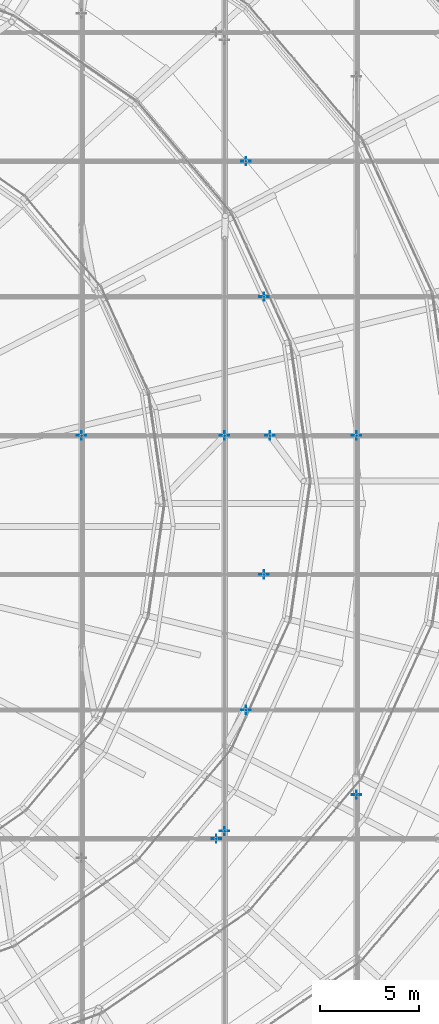
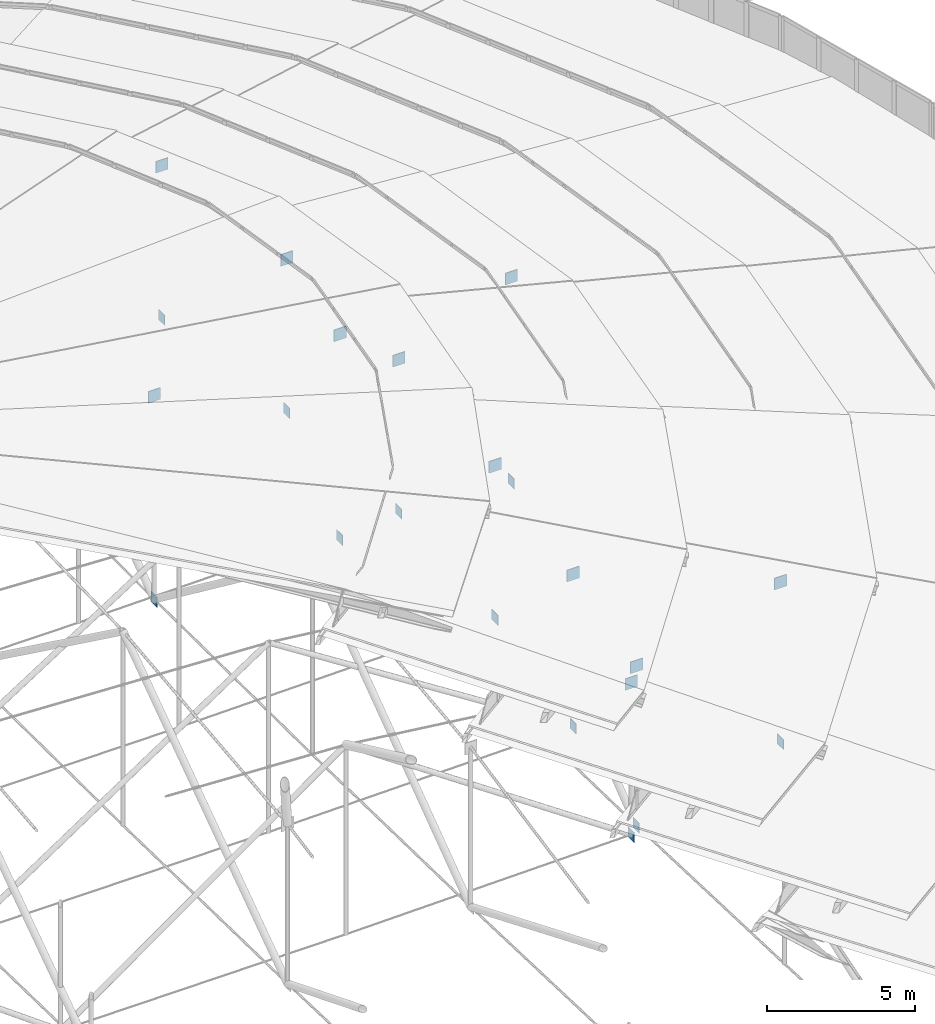
# One storey, part 165 of 173: 22 plates.
"""IFC4 building model written with IfcOpenShell, lengths in metres."""

import ifcopenshell
import ifcopenshell.guid

model = None  # the IFC model being written
_history = None  # IfcOwnerHistory: only IFC2X3 demands one
_inside = {}  # id of a spatial element -> (the spatial element, [elements in it])
_under = {}  # id of a project, library or spatial element -> (it, [spatial elements below it])
_declared = {}  # id of a project -> (the project, [libraries it declares])
_typed = {}  # id of a type object -> (the type object, [elements of that type])
_made_of = {}  # id of a material, layer set ... -> (it, [elements and type objects made of it])


def new_model(schema):
    """Start an empty IFC model of exactly this schema.

    Asked for "IFC4X3", IfcOpenShell would pick the latest addendum, in which some entities
    have other attributes; the version numbers below select the first issue.
    IFC2X3 requires an IfcOwnerHistory on every rooted entity: one is made here for all.
    """
    global model, _history
    if schema == "IFC4X3":
        model = ifcopenshell.file(schema_version=(4, 3, 0, 0))
    else:
        model = ifcopenshell.file(schema=schema)
    _inside.clear()
    _under.clear()
    _declared.clear()
    _typed.clear()
    _made_of.clear()
    _history = None
    if model.schema == "IFC2X3":
        org = make("IfcOrganization", Name="unknown")
        user = make(
            "IfcPersonAndOrganization",
            ThePerson=make("IfcPerson", FamilyName="unknown"),
            TheOrganization=org,
        )
        app = make(
            "IfcApplication",
            ApplicationDeveloper=org,
            Version="unknown",
            ApplicationFullName="unknown",
            ApplicationIdentifier="unknown",
        )
        _history = make(
            "IfcOwnerHistory",
            OwningUser=user,
            OwningApplication=app,
            ChangeAction="ADDED",
            CreationDate=0,
        )
    return model


def make(cls, **values):
    """One entity of the class cls with the attributes given. An attribute that is None is left unset."""
    return model.create_entity(
        cls, **{name: value for name, value in values.items() if value is not None}
    )


def rooted(cls, **values):
    """An entity with a GlobalId (a new one), such as an element, a storey or a relation."""
    return make(cls, GlobalId=ifcopenshell.guid.new(), OwnerHistory=_history, **values)


def si_unit(unit_type, name, prefix=None):
    """IfcSIUnit, for example si_unit("LENGTHUNIT", "METRE", prefix="MILLI")."""
    return make("IfcSIUnit", UnitType=unit_type, Prefix=prefix, Name=name)


def assignment(units):
    """IfcUnitAssignment: the units of a project."""
    return None if units is None else make("IfcUnitAssignment", Units=units)


def point(xyz):
    """IfcCartesianPoint."""
    return None if xyz is None else make("IfcCartesianPoint", Coordinates=xyz)


def direction(xyz):
    """IfcDirection."""
    return None if xyz is None else make("IfcDirection", DirectionRatios=xyz)


def frame(location, z_axis=None, x_axis=None):
    """IfcAxis2Placement3D, a coordinate frame: its origin and axes. An axis left out is left unset."""
    return make(
        "IfcAxis2Placement3D",
        Location=point(location),
        Axis=direction(z_axis),
        RefDirection=direction(x_axis),
    )


def frame_2d(location, x_axis=None):
    """IfcAxis2Placement2D, a coordinate frame in the plane: its origin and x axis."""
    return make(
        "IfcAxis2Placement2D", Location=point(location), RefDirection=direction(x_axis)
    )


def origin():
    """The frame at (0, 0, 0) with its axes left unset."""
    return frame((0.0, 0.0, 0.0))


def origin_2d():
    """The frame at (0, 0) in the plane with its x axis left unset."""
    return frame_2d((0.0, 0.0))


def place(relative_to, where):
    """IfcLocalPlacement: puts the frame where relative to a parent placement (None: the world)."""
    return make(
        "IfcLocalPlacement", PlacementRelTo=relative_to, RelativePlacement=where
    )


def context(
    kind, dimensions, precision=None, world=None, true_north=None, identifier=None
):
    """IfcGeometricRepresentationContext, for example the 3D "Model" context."""
    return make(
        "IfcGeometricRepresentationContext",
        ContextIdentifier=identifier,
        ContextType=kind,
        CoordinateSpaceDimension=dimensions,
        Precision=precision,
        WorldCoordinateSystem=world,
        TrueNorth=true_north,
    )


def subcontext(parent, identifier, kind, view, scale=None):
    """IfcGeometricRepresentationSubContext, for example "Body" below "Model"."""
    return make(
        "IfcGeometricRepresentationSubContext",
        ContextIdentifier=identifier,
        ContextType=kind,
        ParentContext=parent,
        TargetScale=scale,
        TargetView=view,
    )


def project(units=None, contexts=None):
    """IfcProject with its units and contexts."""
    return rooted(
        "IfcProject",
        Name="project",
        RepresentationContexts=contexts,
        UnitsInContext=assignment(units),
    )


def spatial(cls, under=None, at=None, **own):
    """A site, building, storey or space (cls), placed at a placement, below another one or the project."""
    s = rooted(cls, ObjectPlacement=at, **own)
    if under is not None:
        _under.setdefault(under.id(), (under, []))[1].append(s)
    return s


def profile(cls, at=None, kind="AREA", **sizes):
    """A parametric profile (cls). Its sizes go by their IFC names, for example OverallWidth=200.0."""
    return make(cls, ProfileType=kind, Position=at, **sizes)


def rectangle(**sizes):
    """IfcRectangleProfileDef."""
    return profile("IfcRectangleProfileDef", **sizes)


def extrude(swept, where, along, depth):
    """IfcExtrudedAreaSolid: the profile swept, set in the frame where, extruded along a direction by depth."""
    return make(
        "IfcExtrudedAreaSolid",
        SweptArea=swept,
        Position=where,
        ExtrudedDirection=direction(along),
        Depth=depth,
    )


def shape(context_of_items, identifier, shape_type, items):
    """IfcShapeRepresentation: the items that make up one representation, for example the "Body"."""
    return make(
        "IfcShapeRepresentation",
        ContextOfItems=context_of_items,
        RepresentationIdentifier=identifier,
        RepresentationType=shape_type,
        Items=items,
    )


def material(Name=None, Category=None):
    """IfcMaterial."""
    return make("IfcMaterial", Name=Name, Category=Category)


def layer(
    of_material, thickness, ventilated=None, Name=None, Category=None, Priority=None
):
    """IfcMaterialLayer: one layer of a wall or slab, of a material (None: an air gap)."""
    return make(
        "IfcMaterialLayer",
        Material=of_material,
        LayerThickness=thickness,
        IsVentilated=ventilated,
        Name=Name,
        Category=Category,
        Priority=Priority,
    )


def layer_set(layers, Name=None):
    """IfcMaterialLayerSet."""
    return make("IfcMaterialLayerSet", MaterialLayers=layers, LayerSetName=Name)


def made_of(thing, what):
    """Note that an element or type object is made of a material, layer set ...; save() writes the relation."""
    if what is not None:
        _made_of.setdefault(what.id(), (what, []))[1].append(thing)
    return thing


def type_object(cls, material=None, **own):
    """A type object (cls), such as IfcWallType, which elements share."""
    return made_of(rooted(cls, **own), material)


def element(
    cls,
    number,
    at=None,
    inside=None,
    cuts=None,
    type_object=None,
    material=None,
    context=None,
    identifier="Body",
    shape_type=None,
    held_by="IfcProductDefinitionShape",
    body=None,
    shapes=None,
    **own,
):
    """One element of the class cls, such as IfcWall. Its Tag is "e" and its number.

    at: its placement. inside: the storey or other place that contains it. cuts: it is an
    opening in that element (IfcRelVoidsElement). A single representation is given by context,
    identifier, shape_type and body (its items); several are given by shapes. held_by: the class
    of the entity that holds the representations. save() writes the other relations.
    """
    e = rooted(cls, Tag="e%d" % number, ObjectPlacement=at, **own)
    if body is not None:
        shapes = [shape(context, identifier, shape_type, body)]
    if shapes is not None:
        e.Representation = make(held_by, Representations=shapes)
    if inside is not None:
        _inside.setdefault(inside.id(), (inside, []))[1].append(e)
    if cuts is not None:
        rooted(
            "IfcRelVoidsElement", RelatingBuildingElement=cuts, RelatedOpeningElement=e
        )
    if type_object is not None:
        _typed.setdefault(type_object.id(), (type_object, []))[1].append(e)
    return made_of(e, material)


def aggregate(whole, parts):
    """IfcRelAggregates: a whole, such as a stair, and the parts it consists of."""
    return rooted("IfcRelAggregates", RelatingObject=whole, RelatedObjects=parts)


def save(model, path):
    """Write the relations noted so far, then the file.

    IfcRelAggregates (storeys below a building ...), IfcRelContainedInSpatialStructure (elements
    in a storey), IfcRelDefinesByType, IfcRelAssociatesMaterial and IfcRelDeclares: one each for
    every whole, place, type object, material and project.
    """
    for whole, parts in _under.values():
        aggregate(whole, parts)
    for where, things in _inside.values():
        rooted(
            "IfcRelContainedInSpatialStructure",
            RelatedElements=things,
            RelatingStructure=where,
        )
    for kind, things in _typed.values():
        rooted("IfcRelDefinesByType", RelatedObjects=things, RelatingType=kind)
    for what, things in _made_of.values():
        rooted("IfcRelAssociatesMaterial", RelatedObjects=things, RelatingMaterial=what)
    for by, libraries in _declared.values():
        rooted("IfcRelDeclares", RelatingContext=by, RelatedDefinitions=libraries)
    model.write(path)


model = new_model("IFC4")

# Units and contexts
model_context = context("Model", 3, precision=1e-05, world=origin(), true_north=direction((0.0, 1.0)))
body_context = subcontext(model_context, "Body", "Model", "MODEL_VIEW")
ifc_project = project(units=[si_unit("LENGTHUNIT", "METRE"), si_unit("AREAUNIT", "SQUARE_METRE"), si_unit("VOLUMEUNIT", "CUBIC_METRE"), si_unit("PLANEANGLEUNIT", "RADIAN"), si_unit("MASSUNIT", "GRAM", prefix="KILO")], contexts=[model_context])

# Site, building, storey
site_placement = place(None, origin())
site = spatial("IfcSite", under=ifc_project, at=site_placement, CompositionType="ELEMENT")
building_placement = place(site_placement, origin())
building = spatial("IfcBuilding", under=site, at=building_placement, Name="Glasvene Arena", CompositionType="ELEMENT")
storey_placement = place(building_placement, frame((0.0, 0.0, 28.800048828125)))
storey = spatial("IfcBuildingStorey", under=building, at=storey_placement, Name="RF", CompositionType="ELEMENT", Elevation=28.800048828125)

# Plates
ifc_material = material(Name="Steel S355J2", Category="steel")
ifc_layer_1 = layer(ifc_material, 0.031982421875)
ifc_layer_set_1 = layer_set([ifc_layer_1], Name="Steel S355J2")
plate_type_1 = type_object("IfcPlateType", Name="PL-GUSSET-32", PredefinedType="USERDEFINED", material=ifc_layer_set_1)
for number, where, z_axis, x_axis, name in (
    (1, (121.389404296875, 54.797119140625, 4.23291015625), (0.0, 0.0, 1.0), (1.0, 0.0, 0.0), "Cable-node clamp gusset plate CG-NS01-02"),
    (2, (121.389404296875, 73.0, 5.780029296875), (0.0, 0.0, 1.0), (1.0, 0.0, 0.0), "Cable-node clamp gusset plate CG-NS01-04"),
    (3, (114.699462890625, 52.952392578125, 4.23291015625), (0.0, 0.0, 1.0), (1.0, 0.0, 0.0), "Cable-node clamp gusset plate CG-NS02-02"),
    (4, (114.699462890625, 73.0, 5.780029296875), (0.0, 0.0, 1.0), (1.0, 0.0, 0.0), "Cable-node clamp gusset plate CG-NS02-04"),
    (5, (107.45068359375, 73.0, 5.780029296875), (0.0, 0.0, 1.0), (1.0, 0.0, 0.0), "Cable-node clamp gusset plate CG-NS03-04"),
    (6, (114.275146484375, 52.5703125, 3.927001953125), (0.0, 0.0, 1.0), (1.0, 0.0, 0.0), "Cable-node clamp gusset plate CG-EW01-06"),
    (7, (115.7763671875, 59.09423828125, 3.927001953125), (0.0, 0.0, 1.0), (1.0, 0.0, 0.0), "Cable-node clamp gusset plate CG-EW02-06"),
    (8, (116.692138671875, 65.96044921875, 3.927001953125), (0.0, 0.0, 1.0), (1.0, 0.0, 0.0), "Cable-node clamp gusset plate CG-EW03-06"),
    (9, (117.0, 73.0, 3.927001953125), (0.0, 0.0, 1.0), (1.0, 0.0, 0.0), "Cable-node clamp gusset plate CG-EW04-06"),
    (10, (116.692138671875, 80.03955078125, 3.927001953125), (0.0, 0.0, 1.0), (1.0, 0.0, 0.0), "Cable-node clamp gusset plate CG-EW05-06"),
    (11, (115.7763671875, 86.90576171875, 3.927001953125), (0.0, 0.0, 1.0), (1.0, 0.0, 0.0), "Cable-node clamp gusset plate CG-EW06-06"),
):
    element("IfcPlate", number, at=place(storey_placement, frame(where, z_axis=z_axis, x_axis=x_axis)), inside=storey, type_object=plate_type_1, Name=name, ObjectType="GUSSET PLATE", PredefinedType="USERDEFINED", context=body_context, shape_type="SweptSolid", body=[
        extrude(rectangle(XDim=0.47998046875, YDim=0.031982421875, at=origin_2d()), origin(), (0.0, 0.0, 1.0), 0.47998046875),
    ])
ifc_layer_2 = layer(ifc_material, 0.02001953125)
ifc_layer_set_2 = layer_set([ifc_layer_2], Name="Steel S355J2")
plate_type_2 = type_object("IfcPlateType", Name="PL-STIFF-20", PredefinedType="USERDEFINED", material=ifc_layer_set_2)
for number, where, z_axis, x_axis, name in (
    (12, (121.389404296875, 54.797119140625, -2.322509765625), (0.0, 0.0, 1.0), (1.0, 0.0, 0.0), "Lower cable clamp stiffener plate CS-NS01-02"),
    (13, (121.389404296875, 73.0, -2.610107421875), (0.0, 0.0, 1.0), (1.0, 0.0, 0.0), "Lower cable clamp stiffener plate CS-NS01-04"),
    (14, (114.699462890625, 52.952392578125, -2.322509765625), (0.0, 0.0, 1.0), (1.0, 0.0, 0.0), "Lower cable clamp stiffener plate CS-NS02-02"),
    (15, (114.699462890625, 73.0, -2.610107421875), (0.0, 0.0, 1.0), (1.0, 0.0, 0.0), "Lower cable clamp stiffener plate CS-NS02-04"),
    (16, (107.45068359375, 73.0, -2.610107421875), (0.0, 0.0, 1.0), (1.0, 0.0, 0.0), "Lower cable clamp stiffener plate CS-NS03-04"),
    (17, (114.275146484375, 52.5703125, -2.322509765625), (0.0, 0.0, 1.0), (1.0, 0.0, 0.0), "Lower cable clamp stiffener plate CS-EW01-06"),
    (18, (115.7763671875, 59.09423828125, -2.322509765625), (0.0, 0.0, 1.0), (1.0, 0.0, 0.0), "Lower cable clamp stiffener plate CS-EW02-06"),
    (19, (116.692138671875, 65.96044921875, -2.322509765625), (0.0, 0.0, 1.0), (1.0, 0.0, 0.0), "Lower cable clamp stiffener plate CS-EW03-06"),
    (20, (117.0, 73.0, -2.322509765625), (0.0, 0.0, 1.0), (1.0, 0.0, 0.0), "Lower cable clamp stiffener plate CS-EW04-06"),
    (21, (116.692138671875, 80.03955078125, -2.322509765625), (0.0, 0.0, 1.0), (1.0, 0.0, 0.0), "Lower cable clamp stiffener plate CS-EW05-06"),
    (22, (115.7763671875, 86.90576171875, -2.322509765625), (0.0, 0.0, 1.0), (1.0, 0.0, 0.0), "Lower cable clamp stiffener plate CS-EW06-06"),
):
    element("IfcPlate", number, at=place(storey_placement, frame(where, z_axis=z_axis, x_axis=x_axis)), inside=storey, type_object=plate_type_2, Name=name, ObjectType="GUSSET PLATE", PredefinedType="USERDEFINED", context=body_context, shape_type="SweptSolid", body=[
        extrude(rectangle(XDim=0.02001953125, YDim=0.419921875, at=origin_2d()), origin(), (0.0, 0.0, 1.0), 0.419921875),
    ])

save(model, "model.ifc")
